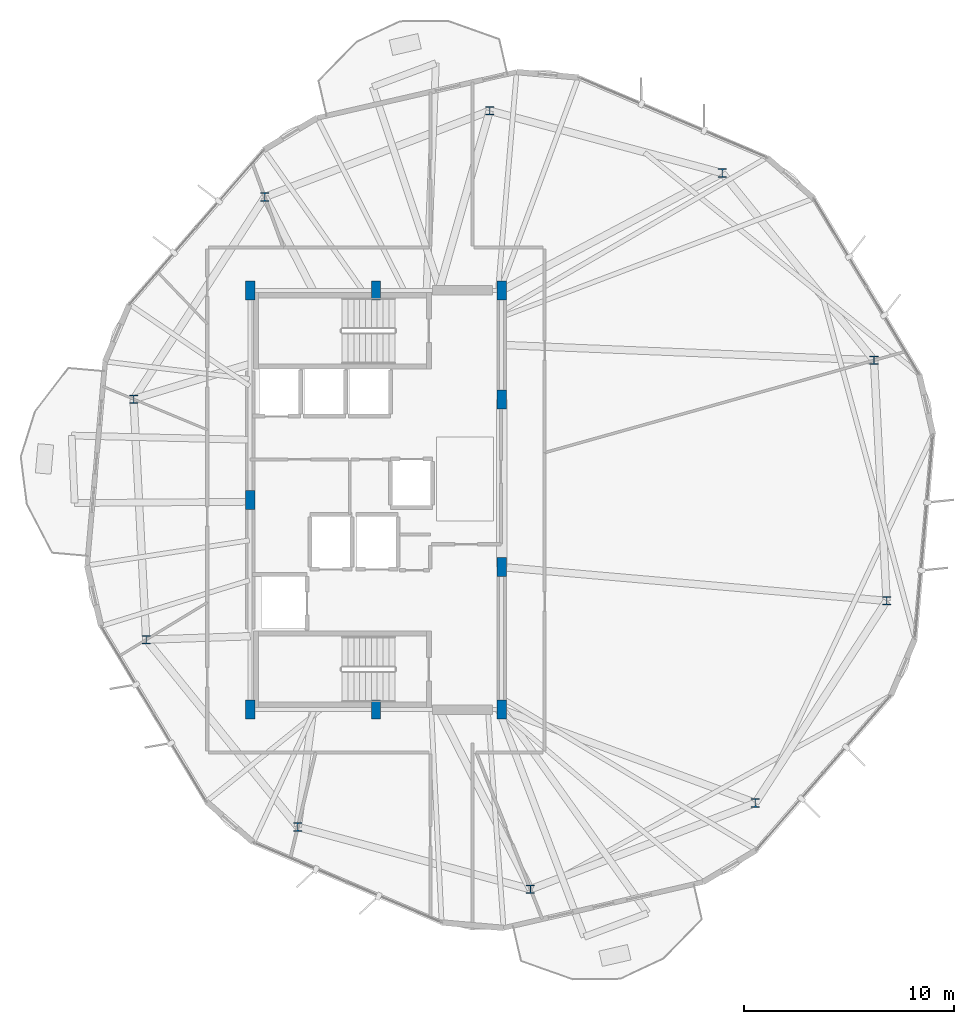
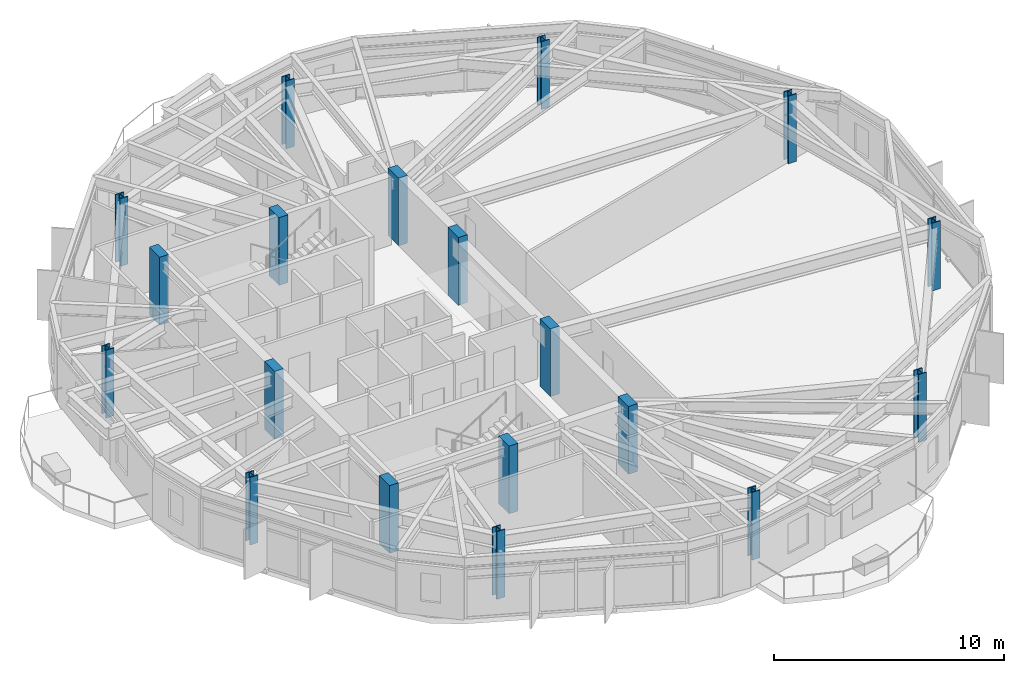
# One storey, part 1 of 27: 19 columns.
"""IFC4 building model written with IfcOpenShell, lengths in metres."""

from ifc_helpers import new_model, si_unit, direction, frame, origin, origin_2d, place, context, subcontext, project, spatial, rectangle, i_section, extrude, material, material_profile, profile_set, type_object, element, save


model = new_model("IFC4")

# Units and contexts
model_context = context("Model", 3, precision=1e-05, world=origin(), true_north=direction((0.0, 1.0)))
body_context = subcontext(model_context, "Body", "Model", "MODEL_VIEW")
ifc_project = project(units=[si_unit("LENGTHUNIT", "METRE"), si_unit("AREAUNIT", "SQUARE_METRE"), si_unit("VOLUMEUNIT", "CUBIC_METRE"), si_unit("PLANEANGLEUNIT", "RADIAN"), si_unit("MASSUNIT", "GRAM", prefix="KILO")], contexts=[model_context])

# Site, building, storey
site_placement = place(None, origin())
site = spatial("IfcSite", under=ifc_project, at=site_placement, CompositionType="ELEMENT")
building_placement = place(site_placement, origin())
building = spatial("IfcBuilding", under=site, at=building_placement, Name="Soratama Intermodal Tower", CompositionType="ELEMENT")
storey_placement = place(building_placement, frame((0.0, 0.0, 212.199951171875)))
storey = spatial("IfcBuildingStorey", under=building, at=storey_placement, Name="L53", CompositionType="ELEMENT", Elevation=212.199951171875)

# Columns
ifc_material_1 = material(Name="Structural steel ASTM A992 Grade 50", Category="steel")
ifc_material_profile_1 = material_profile(ifc_material_1, i_section(OverallWidth=0.406005859375, OverallDepth=0.416015625, WebThickness=0.02978515625, FlangeThickness=0.048095703125, FilletRadius=0.0380859375, at=origin_2d()), Name="W14X257")
ifc_profile_set_1 = profile_set([ifc_material_profile_1], Name="Structural steel ASTM A992 Grade 50")
column_type_1 = type_object("IfcColumnType", Name="COL-ZD-W14X257", PredefinedType="COLUMN", material=ifc_profile_set_1)
for number, where, z_axis, x_axis, name in (
    (1, (62.364501953125, 31.66552734375, 0.0), (0.0, 0.0, 1.0), (1.0, 0.0, 0.0), "L53 Tower Ring Column R01"),
    (2, (55.13037109375, 40.599365234375, 0.0), (0.0, 0.0, 1.0), (1.0, 0.0, 0.0), "L53 Tower Ring Column R02"),
    (3, (44.026611328125, 43.574462890625, 0.0), (0.0, 0.0, 1.0), (1.0, 0.0, 0.0), "L53 Tower Ring Column R03"),
    (4, (33.294677734375, 39.454833984375, 0.0), (0.0, 0.0, 1.0), (1.0, 0.0, 0.0), "L53 Tower Ring Column R04"),
    (5, (27.03369140625, 29.81396484375, 0.0), (0.0, 0.0, 1.0), (1.0, 0.0, 0.0), "L53 Tower Ring Column R05"),
    (6, (27.635498046875, 18.33447265625, 0.0), (0.0, 0.0, 1.0), (1.0, 0.0, 0.0), "L53 Tower Ring Column R06"),
    (7, (34.86962890625, 9.400634765625, 0.0), (0.0, 0.0, 1.0), (1.0, 0.0, 0.0), "L53 Tower Ring Column R07"),
    (8, (45.973388671875, 6.425537109375, 0.0), (0.0, 0.0, 1.0), (1.0, 0.0, 0.0), "L53 Tower Ring Column R08"),
    (9, (56.705322265625, 10.545166015625, 0.0), (0.0, 0.0, 1.0), (1.0, 0.0, 0.0), "L53 Tower Ring Column R09"),
    (10, (62.96630859375, 20.18603515625, 0.0), (0.0, 0.0, 1.0), (1.0, 0.0, 0.0), "L53 Tower Ring Column R10"),
):
    element("IfcColumn", number, at=place(storey_placement, frame(where, z_axis=z_axis, x_axis=x_axis)), inside=storey, type_object=column_type_1, Name=name, PredefinedType="COLUMN", context=body_context, shape_type="SweptSolid", body=[
        extrude(i_section(OverallWidth=0.406005859375, OverallDepth=0.416015625, WebThickness=0.02978515625, FlangeThickness=0.048095703125, FilletRadius=0.0380859375, at=origin_2d()), origin(), (0.0, 0.0, 1.0), 3.60009765625),
    ])
ifc_material_2 = material(Name="Concrete f'c 56 MPa", Category="concrete")
ifc_material_profile_2 = material_profile(ifc_material_2, rectangle(XDim=0.449951171875, YDim=0.89990234375, at=origin_2d()), Name="RC450X900")
ifc_profile_set_2 = profile_set([ifc_material_profile_2], Name="Concrete f'c 56 MPa")
column_type_2 = type_object("IfcColumnType", Name="PIL-CORE-450X900", PredefinedType="PILASTER", material=ifc_profile_set_2)
for number, where, z_axis, x_axis, name in (
    (11, (32.60009765625, 15.0, 0.0), (0.0, 0.0, 1.0), (1.0, 0.0, 0.0), "L53 Core Pilaster 1"),
    (12, (32.60009765625, 25.0, 0.0), (0.0, 0.0, 1.0), (1.0, 0.0, 0.0), "L53 Core Pilaster 2"),
    (13, (32.60009765625, 35.0, 0.0), (0.0, 0.0, 1.0), (1.0, 0.0, 0.0), "L53 Core Pilaster 3"),
    (14, (38.60009765625, 15.0, 0.0), (0.0, 0.0, 1.0), (1.0, 0.0, 0.0), "L53 Core Pilaster 4"),
    (15, (38.60009765625, 35.0, 0.0), (0.0, 0.0, 1.0), (1.0, 0.0, 0.0), "L53 Core Pilaster 5"),
    (16, (44.60009765625, 15.0, 0.0), (0.0, 0.0, 1.0), (1.0, 0.0, 0.0), "L53 Core Pilaster 6"),
    (17, (44.60009765625, 21.800048828125, 0.0), (0.0, 0.0, 1.0), (1.0, 0.0, 0.0), "L53 Core Pilaster 7"),
    (18, (44.60009765625, 29.800048828125, 0.0), (0.0, 0.0, 1.0), (1.0, 0.0, 0.0), "L53 Core Pilaster 8"),
    (19, (44.60009765625, 35.0, 0.0), (0.0, 0.0, 1.0), (1.0, 0.0, 0.0), "L53 Core Pilaster 9"),
):
    element("IfcColumn", number, at=place(storey_placement, frame(where, z_axis=z_axis, x_axis=x_axis)), inside=storey, type_object=column_type_2, Name=name, PredefinedType="PILASTER", context=body_context, shape_type="SweptSolid", body=[
        extrude(rectangle(XDim=0.449951171875, YDim=0.89990234375, at=origin_2d()), origin(), (0.0, 0.0, 1.0), 3.60009765625),
    ])

save(model, "model.ifc")
